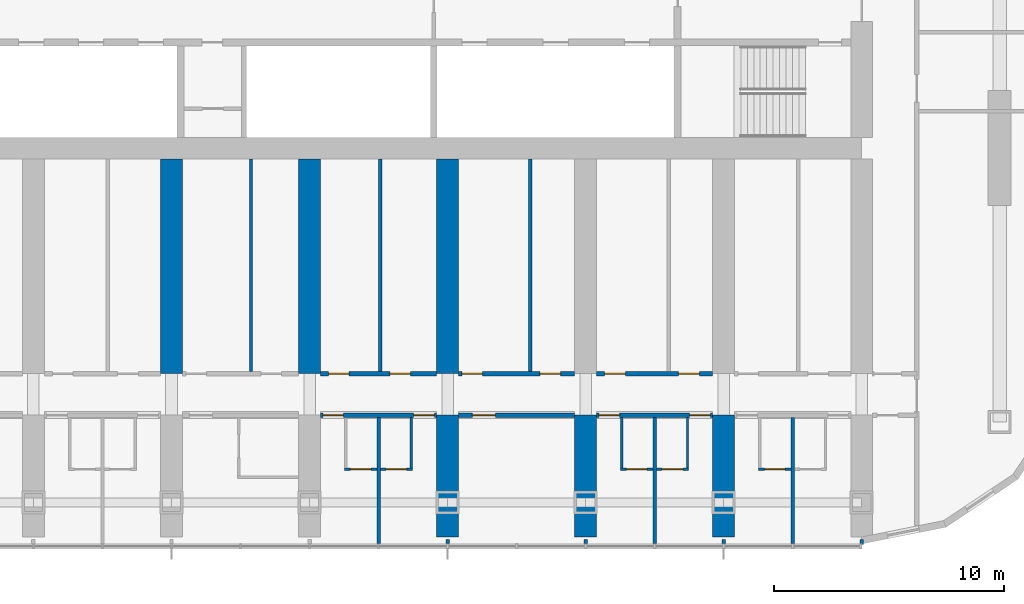
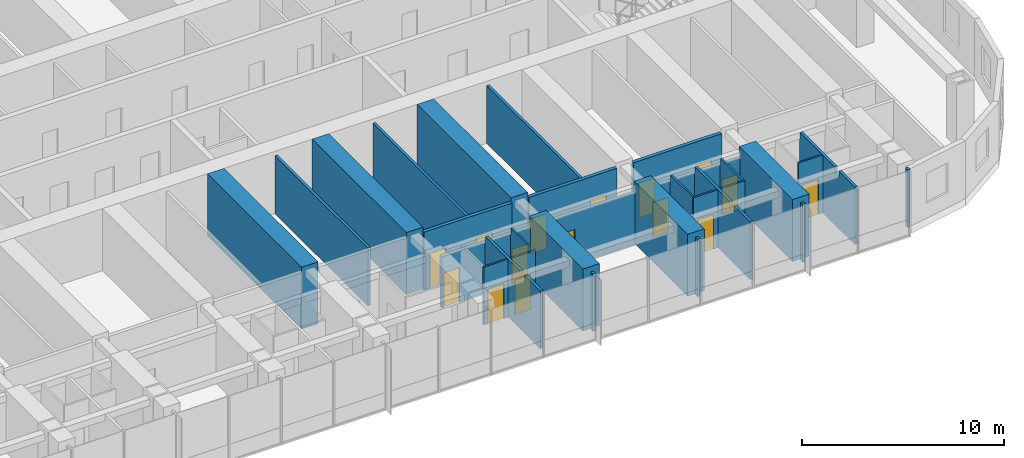
# One storey, part 12 of 25: 30 walls, 16 doors, 16 openings.
"""IFC4 building model written with IfcOpenShell, lengths in metres."""

import ifcopenshell
import ifcopenshell.guid

model = None  # the IFC model being written
_history = None  # IfcOwnerHistory: only IFC2X3 demands one
_inside = {}  # id of a spatial element -> (the spatial element, [elements in it])
_under = {}  # id of a project, library or spatial element -> (it, [spatial elements below it])
_declared = {}  # id of a project -> (the project, [libraries it declares])
_typed = {}  # id of a type object -> (the type object, [elements of that type])
_made_of = {}  # id of a material, layer set ... -> (it, [elements and type objects made of it])


def new_model(schema):
    """Start an empty IFC model of exactly this schema.

    Asked for "IFC4X3", IfcOpenShell would pick the latest addendum, in which some entities
    have other attributes; the version numbers below select the first issue.
    IFC2X3 requires an IfcOwnerHistory on every rooted entity: one is made here for all.
    """
    global model, _history
    if schema == "IFC4X3":
        model = ifcopenshell.file(schema_version=(4, 3, 0, 0))
    else:
        model = ifcopenshell.file(schema=schema)
    _inside.clear()
    _under.clear()
    _declared.clear()
    _typed.clear()
    _made_of.clear()
    _history = None
    if model.schema == "IFC2X3":
        org = make("IfcOrganization", Name="unknown")
        user = make(
            "IfcPersonAndOrganization",
            ThePerson=make("IfcPerson", FamilyName="unknown"),
            TheOrganization=org,
        )
        app = make(
            "IfcApplication",
            ApplicationDeveloper=org,
            Version="unknown",
            ApplicationFullName="unknown",
            ApplicationIdentifier="unknown",
        )
        _history = make(
            "IfcOwnerHistory",
            OwningUser=user,
            OwningApplication=app,
            ChangeAction="ADDED",
            CreationDate=0,
        )
    return model


def make(cls, **values):
    """One entity of the class cls with the attributes given. An attribute that is None is left unset."""
    return model.create_entity(
        cls, **{name: value for name, value in values.items() if value is not None}
    )


def rooted(cls, **values):
    """An entity with a GlobalId (a new one), such as an element, a storey or a relation."""
    return make(cls, GlobalId=ifcopenshell.guid.new(), OwnerHistory=_history, **values)


def si_unit(unit_type, name, prefix=None):
    """IfcSIUnit, for example si_unit("LENGTHUNIT", "METRE", prefix="MILLI")."""
    return make("IfcSIUnit", UnitType=unit_type, Prefix=prefix, Name=name)


def assignment(units):
    """IfcUnitAssignment: the units of a project."""
    return None if units is None else make("IfcUnitAssignment", Units=units)


def point(xyz):
    """IfcCartesianPoint."""
    return None if xyz is None else make("IfcCartesianPoint", Coordinates=xyz)


def direction(xyz):
    """IfcDirection."""
    return None if xyz is None else make("IfcDirection", DirectionRatios=xyz)


def frame(location, z_axis=None, x_axis=None):
    """IfcAxis2Placement3D, a coordinate frame: its origin and axes. An axis left out is left unset."""
    return make(
        "IfcAxis2Placement3D",
        Location=point(location),
        Axis=direction(z_axis),
        RefDirection=direction(x_axis),
    )


def frame_2d(location, x_axis=None):
    """IfcAxis2Placement2D, a coordinate frame in the plane: its origin and x axis."""
    return make(
        "IfcAxis2Placement2D", Location=point(location), RefDirection=direction(x_axis)
    )


def origin():
    """The frame at (0, 0, 0) with its axes left unset."""
    return frame((0.0, 0.0, 0.0))


def place(relative_to, where):
    """IfcLocalPlacement: puts the frame where relative to a parent placement (None: the world)."""
    return make(
        "IfcLocalPlacement", PlacementRelTo=relative_to, RelativePlacement=where
    )


def context(
    kind, dimensions, precision=None, world=None, true_north=None, identifier=None
):
    """IfcGeometricRepresentationContext, for example the 3D "Model" context."""
    return make(
        "IfcGeometricRepresentationContext",
        ContextIdentifier=identifier,
        ContextType=kind,
        CoordinateSpaceDimension=dimensions,
        Precision=precision,
        WorldCoordinateSystem=world,
        TrueNorth=true_north,
    )


def subcontext(parent, identifier, kind, view, scale=None):
    """IfcGeometricRepresentationSubContext, for example "Body" below "Model"."""
    return make(
        "IfcGeometricRepresentationSubContext",
        ContextIdentifier=identifier,
        ContextType=kind,
        ParentContext=parent,
        TargetScale=scale,
        TargetView=view,
    )


def project(units=None, contexts=None):
    """IfcProject with its units and contexts."""
    return rooted(
        "IfcProject",
        Name="project",
        RepresentationContexts=contexts,
        UnitsInContext=assignment(units),
    )


def spatial(cls, under=None, at=None, **own):
    """A site, building, storey or space (cls), placed at a placement, below another one or the project."""
    s = rooted(cls, ObjectPlacement=at, **own)
    if under is not None:
        _under.setdefault(under.id(), (under, []))[1].append(s)
    return s


def polyline(points):
    """IfcPolyline through the points."""
    return make("IfcPolyline", Points=[point(p) for p in points])


def profile(cls, at=None, kind="AREA", **sizes):
    """A parametric profile (cls). Its sizes go by their IFC names, for example OverallWidth=200.0."""
    return make(cls, ProfileType=kind, Position=at, **sizes)


def rectangle(**sizes):
    """IfcRectangleProfileDef."""
    return profile("IfcRectangleProfileDef", **sizes)


def outline(outer, holes=None, kind="AREA"):
    """IfcArbitraryClosedProfileDef: a profile drawn as a closed curve; with holes, ...WithVoids."""
    if holes is None:
        return make("IfcArbitraryClosedProfileDef", ProfileType=kind, OuterCurve=outer)
    return make(
        "IfcArbitraryProfileDefWithVoids",
        ProfileType=kind,
        OuterCurve=outer,
        InnerCurves=holes,
    )


def extrude(swept, where, along, depth):
    """IfcExtrudedAreaSolid: the profile swept, set in the frame where, extruded along a direction by depth."""
    return make(
        "IfcExtrudedAreaSolid",
        SweptArea=swept,
        Position=where,
        ExtrudedDirection=direction(along),
        Depth=depth,
    )


def shape(context_of_items, identifier, shape_type, items):
    """IfcShapeRepresentation: the items that make up one representation, for example the "Body"."""
    return make(
        "IfcShapeRepresentation",
        ContextOfItems=context_of_items,
        RepresentationIdentifier=identifier,
        RepresentationType=shape_type,
        Items=items,
    )


def material(Name=None, Category=None):
    """IfcMaterial."""
    return make("IfcMaterial", Name=Name, Category=Category)


def layer(
    of_material, thickness, ventilated=None, Name=None, Category=None, Priority=None
):
    """IfcMaterialLayer: one layer of a wall or slab, of a material (None: an air gap)."""
    return make(
        "IfcMaterialLayer",
        Material=of_material,
        LayerThickness=thickness,
        IsVentilated=ventilated,
        Name=Name,
        Category=Category,
        Priority=Priority,
    )


def layer_set(layers, Name=None):
    """IfcMaterialLayerSet."""
    return make("IfcMaterialLayerSet", MaterialLayers=layers, LayerSetName=Name)


def made_of(thing, what):
    """Note that an element or type object is made of a material, layer set ...; save() writes the relation."""
    if what is not None:
        _made_of.setdefault(what.id(), (what, []))[1].append(thing)
    return thing


def type_object(cls, material=None, **own):
    """A type object (cls), such as IfcWallType, which elements share."""
    return made_of(rooted(cls, **own), material)


def element(
    cls,
    number,
    at=None,
    inside=None,
    cuts=None,
    type_object=None,
    material=None,
    context=None,
    identifier="Body",
    shape_type=None,
    held_by="IfcProductDefinitionShape",
    body=None,
    shapes=None,
    **own,
):
    """One element of the class cls, such as IfcWall. Its Tag is "e" and its number.

    at: its placement. inside: the storey or other place that contains it. cuts: it is an
    opening in that element (IfcRelVoidsElement). A single representation is given by context,
    identifier, shape_type and body (its items); several are given by shapes. held_by: the class
    of the entity that holds the representations. save() writes the other relations.
    """
    e = rooted(cls, Tag="e%d" % number, ObjectPlacement=at, **own)
    if body is not None:
        shapes = [shape(context, identifier, shape_type, body)]
    if shapes is not None:
        e.Representation = make(held_by, Representations=shapes)
    if inside is not None:
        _inside.setdefault(inside.id(), (inside, []))[1].append(e)
    if cuts is not None:
        rooted(
            "IfcRelVoidsElement", RelatingBuildingElement=cuts, RelatedOpeningElement=e
        )
    if type_object is not None:
        _typed.setdefault(type_object.id(), (type_object, []))[1].append(e)
    return made_of(e, material)


def fill(opening, filler):
    """IfcRelFillsElement: the door or window that sits in an opening."""
    return rooted(
        "IfcRelFillsElement",
        RelatingOpeningElement=opening,
        RelatedBuildingElement=filler,
    )


def aggregate(whole, parts):
    """IfcRelAggregates: a whole, such as a stair, and the parts it consists of."""
    return rooted("IfcRelAggregates", RelatingObject=whole, RelatedObjects=parts)


def save(model, path):
    """Write the relations noted so far, then the file.

    IfcRelAggregates (storeys below a building ...), IfcRelContainedInSpatialStructure (elements
    in a storey), IfcRelDefinesByType, IfcRelAssociatesMaterial and IfcRelDeclares: one each for
    every whole, place, type object, material and project.
    """
    for whole, parts in _under.values():
        aggregate(whole, parts)
    for where, things in _inside.values():
        rooted(
            "IfcRelContainedInSpatialStructure",
            RelatedElements=things,
            RelatingStructure=where,
        )
    for kind, things in _typed.values():
        rooted("IfcRelDefinesByType", RelatedObjects=things, RelatingType=kind)
    for what, things in _made_of.values():
        rooted("IfcRelAssociatesMaterial", RelatedObjects=things, RelatingMaterial=what)
    for by, libraries in _declared.values():
        rooted("IfcRelDeclares", RelatingContext=by, RelatedDefinitions=libraries)
    model.write(path)


model = new_model("IFC4")

# Units and contexts
model_context = context("Model", 3, precision=1e-05, world=origin(), true_north=direction((0.0, 1.0)))
body_context = subcontext(model_context, "Body", "Model", "MODEL_VIEW")
ifc_project = project(units=[si_unit("LENGTHUNIT", "METRE"), si_unit("AREAUNIT", "SQUARE_METRE"), si_unit("VOLUMEUNIT", "CUBIC_METRE"), si_unit("PLANEANGLEUNIT", "RADIAN"), si_unit("MASSUNIT", "GRAM", prefix="KILO")], contexts=[model_context])

# Site, building, storey
site_placement = place(None, origin())
site = spatial("IfcSite", under=ifc_project, at=site_placement, CompositionType="ELEMENT")
building_placement = place(site_placement, origin())
building = spatial("IfcBuilding", under=site, at=building_placement, Name="Orbita Commons", CompositionType="ELEMENT")
storey_placement = place(building_placement, frame((0.0, 0.0, 99.39990234375)))
storey = spatial("IfcBuildingStorey", under=building, at=storey_placement, Name="L24", CompositionType="ELEMENT", Elevation=99.39990234375)

# Wall, openings, doors
ifc_material_1 = material(Name="Concrete blockwork", Category="masonry")
ifc_layer_1 = layer(ifc_material_1, 0.199951171875)
ifc_layer_set_1 = layer_set([ifc_layer_1], Name="Concrete blockwork")
wall_type_1 = type_object("IfcWallType", Name="Corridor wall 200 blockwork", PredefinedType="SOLIDWALL", material=ifc_layer_set_1)
wall_1_placement = place(storey_placement, frame((42.47509765625, 14.199951171875, 0.0), z_axis=(0.0, 0.0, 1.0), x_axis=(1.0, 0.0, 0.0)))
wall_1 = element("IfcWall", 1, at=wall_1_placement, inside=storey, type_object=wall_type_1, Name="Corridor wall 200 blockwork L24", PredefinedType="SOLIDWALL", context=body_context, shape_type="SweptSolid", body=[
    extrude(outline(polyline([(0.0, 0.0), (5.0498046875, 0.0), (5.050048828125, 3.10009765625), (0.0, 3.10009765625), (0.0, 0.0)])), frame((0.0, 0.10009765625, 0.0), z_axis=(0.0, -1.0, 0.0), x_axis=(1.0, 0.0, 0.0)), (0.0, 0.0, 1.0), 0.199951171875),
])
opening_1_placement = place(wall_1_placement, frame((0.10009765625, 0.0, 0.0)))
opening_1 = element("IfcOpeningElement", 2, at=opening_1_placement, cuts=wall_1, Name="Opening D11", PredefinedType="OPENING", context=body_context, shape_type="SweptSolid", body=[
    extrude(rectangle(XDim=0.89990234375, YDim=2.10009765625, at=frame_2d((0.449951171875, 1.050048828125))), frame((0.0, 0.10986328125, 0.0), z_axis=(0.0, -1.0, 0.0), x_axis=(1.0, 0.0, 0.0)), (0.0, 0.0, 1.0), 0.219970703125),
])
opening_2_placement = place(wall_1_placement, frame((4.050048828125, 0.0, 0.0)))
opening_2 = element("IfcOpeningElement", 3, at=opening_2_placement, cuts=wall_1, Name="Opening D11", PredefinedType="OPENING", context=body_context, shape_type="SweptSolid", body=[
    extrude(rectangle(XDim=0.89990234375, YDim=2.10009765625, at=frame_2d((0.449951171875, 1.050048828125))), frame((0.0, 0.10986328125, 0.0), z_axis=(0.0, -1.0, 0.0), x_axis=(1.0, 0.0, 0.0)), (0.0, 0.0, 1.0), 0.219970703125),
])
ifc_material_2 = material(Name="Steel-faced fire door leaf", Category="steel")
door_type_1 = type_object("IfcDoorType", Name="Corridor door 20 min 900x2100", OperationType="SINGLE_SWING_LEFT", PredefinedType="DOOR", material=ifc_material_2)
door_1_placement = place(opening_1_placement, origin())
door_1 = element("IfcDoor", 4, at=door_1_placement, inside=storey, type_object=door_type_1, Name="Cluster bedroom L24-S10 door", OperationType="SINGLE_SWING_LEFT", OverallHeight=2.10009765625, OverallWidth=0.89990234375, PredefinedType="DOOR", context=body_context, shape_type="SweptSolid", body=[
    extrude(rectangle(XDim=0.89990234375, YDim=2.10009765625, at=frame_2d((0.449951171875, 1.050048828125))), frame((0.0, 0.02490234375, 0.0), z_axis=(0.0, -1.0, 0.0), x_axis=(1.0, 0.0, 0.0)), (0.0, 0.0, 1.0), 0.050048828125),
])
fill(opening_1, door_1)
door_2_placement = place(opening_2_placement, origin())
door_2 = element("IfcDoor", 5, at=door_2_placement, inside=storey, type_object=door_type_1, Name="Cluster bedroom L24-S11 door", OperationType="SINGLE_SWING_LEFT", OverallHeight=2.10009765625, OverallWidth=0.89990234375, PredefinedType="DOOR", context=body_context, shape_type="SweptSolid", body=[
    extrude(rectangle(XDim=0.89990234375, YDim=2.10009765625, at=frame_2d((0.449951171875, 1.050048828125))), frame((0.0, 0.02490234375, 0.0), z_axis=(0.0, -1.0, 0.0), x_axis=(1.0, 0.0, 0.0)), (0.0, 0.0, 1.0), 0.050048828125),
])
fill(opening_2, door_2)

# Wall, opening, door
wall_2_placement = place(storey_placement, frame((48.47509765625, 14.199951171875, 0.0), z_axis=(0.0, 0.0, 1.0), x_axis=(1.0, 0.0, 0.0)))
wall_2 = element("IfcWall", 6, at=wall_2_placement, inside=storey, type_object=wall_type_1, Name="Corridor wall 200 blockwork L24", PredefinedType="SOLIDWALL", context=body_context, shape_type="SweptSolid", body=[
    extrude(outline(polyline([(0.0, 0.0), (5.0498046875, 0.0), (5.050048828125, 3.10009765625), (0.0, 3.10009765625), (0.0, 0.0)])), frame((0.0, 0.10009765625, 0.0), z_axis=(0.0, -1.0, 0.0), x_axis=(1.0, 0.0, 0.0)), (0.0, 0.0, 1.0), 0.199951171875),
])
opening_3_placement = place(wall_2_placement, frame((0.60009765625, 0.0, 0.0)))
opening_3 = element("IfcOpeningElement", 7, at=opening_3_placement, cuts=wall_2, Name="Opening D06", PredefinedType="OPENING", context=body_context, shape_type="SweptSolid", body=[
    extrude(rectangle(XDim=1.0, YDim=2.10009765625, at=frame_2d((0.5, 1.050048828125))), frame((0.0, 0.10986328125, 0.0), z_axis=(0.0, -1.0, 0.0), x_axis=(1.0, 0.0, 0.0)), (0.0, 0.0, 1.0), 0.219970703125),
])
ifc_material_3 = material(Name="Steel-faced fire door leaf", Category="steel")
door_type_2 = type_object("IfcDoorType", Name="Corridor door 20 min 1000x2100", OperationType="SINGLE_SWING_LEFT", PredefinedType="DOOR", material=ifc_material_3)
door_3_placement = place(opening_3_placement, origin())
door_3 = element("IfcDoor", 8, at=door_3_placement, inside=storey, type_object=door_type_2, Name="Cluster kitchen-diner L24-S12 door", OperationType="SINGLE_SWING_LEFT", OverallHeight=2.10009765625, OverallWidth=1.0, PredefinedType="DOOR", context=body_context, shape_type="SweptSolid", body=[
    extrude(rectangle(XDim=1.0, YDim=2.10009765625, at=frame_2d((0.5, 1.050048828125))), frame((0.0, 0.02490234375, 0.0), z_axis=(0.0, -1.0, 0.0), x_axis=(1.0, 0.0, 0.0)), (0.0, 0.0, 1.0), 0.050048828125),
])
fill(opening_3, door_3)

# Wall, openings, doors
wall_3_placement = place(storey_placement, frame((54.47509765625, 14.199951171875, 0.0), z_axis=(0.0, 0.0, 1.0), x_axis=(1.0, 0.0, 0.0)))
wall_3 = element("IfcWall", 9, at=wall_3_placement, inside=storey, type_object=wall_type_1, Name="Corridor wall 200 blockwork L24", PredefinedType="SOLIDWALL", context=body_context, shape_type="SweptSolid", body=[
    extrude(outline(polyline([(0.0, 0.0), (5.0498046875, 0.0), (5.050048828125, 3.10009765625), (0.0, 3.10009765625), (0.0, 0.0)])), frame((0.0, 0.10009765625, 0.0), z_axis=(0.0, -1.0, 0.0), x_axis=(1.0, 0.0, 0.0)), (0.0, 0.0, 1.0), 0.199951171875),
])
opening_4_placement = place(wall_3_placement, frame((0.10009765625, 0.0, 0.0)))
opening_4 = element("IfcOpeningElement", 10, at=opening_4_placement, cuts=wall_3, Name="Opening D11", PredefinedType="OPENING", context=body_context, shape_type="SweptSolid", body=[
    extrude(rectangle(XDim=0.89990234375, YDim=2.10009765625, at=frame_2d((0.449951171875, 1.050048828125))), frame((0.0, 0.10986328125, 0.0), z_axis=(0.0, -1.0, 0.0), x_axis=(1.0, 0.0, 0.0)), (0.0, 0.0, 1.0), 0.219970703125),
])
opening_5_placement = place(wall_3_placement, frame((4.050048828125, 0.0, 0.0)))
opening_5 = element("IfcOpeningElement", 11, at=opening_5_placement, cuts=wall_3, Name="Opening D11", PredefinedType="OPENING", context=body_context, shape_type="SweptSolid", body=[
    extrude(rectangle(XDim=0.89990234375, YDim=2.10009765625, at=frame_2d((0.449951171875, 1.050048828125))), frame((0.0, 0.10986328125, 0.0), z_axis=(0.0, -1.0, 0.0), x_axis=(1.0, 0.0, 0.0)), (0.0, 0.0, 1.0), 0.219970703125),
])
door_4_placement = place(opening_4_placement, origin())
door_4 = element("IfcDoor", 12, at=door_4_placement, inside=storey, type_object=door_type_1, Name="Cluster bedroom L24-S14 door", OperationType="SINGLE_SWING_LEFT", OverallHeight=2.10009765625, OverallWidth=0.89990234375, PredefinedType="DOOR", context=body_context, shape_type="SweptSolid", body=[
    extrude(rectangle(XDim=0.89990234375, YDim=2.10009765625, at=frame_2d((0.449951171875, 1.050048828125))), frame((0.0, 0.02490234375, 0.0), z_axis=(0.0, -1.0, 0.0), x_axis=(1.0, 0.0, 0.0)), (0.0, 0.0, 1.0), 0.050048828125),
])
fill(opening_4, door_4)
door_5_placement = place(opening_5_placement, origin())
door_5 = element("IfcDoor", 13, at=door_5_placement, inside=storey, type_object=door_type_1, Name="Cluster bedroom L24-S15 door", OperationType="SINGLE_SWING_LEFT", OverallHeight=2.10009765625, OverallWidth=0.89990234375, PredefinedType="DOOR", context=body_context, shape_type="SweptSolid", body=[
    extrude(rectangle(XDim=0.89990234375, YDim=2.10009765625, at=frame_2d((0.449951171875, 1.050048828125))), frame((0.0, 0.02490234375, 0.0), z_axis=(0.0, -1.0, 0.0), x_axis=(1.0, 0.0, 0.0)), (0.0, 0.0, 1.0), 0.050048828125),
])
fill(opening_5, door_5)

ifc_material_4 = material(Name="Hollow concrete block 200", Category="concrete")
ifc_layer_2 = layer(ifc_material_4, 0.199951171875)
ifc_layer_set_2 = layer_set([ifc_layer_2], Name="Hollow concrete block 200")
wall_type_2 = type_object("IfcWallType", Name="Corridor wall 200 hollow concrete block", PredefinedType="SOLIDWALL", material=ifc_layer_set_2)
wall_4_placement = place(storey_placement, frame((42.47509765625, 16.0, 0.0), z_axis=(0.0, 0.0, 1.0), x_axis=(1.0, 0.0, 0.0)))
wall_4 = element("IfcWall", 14, at=wall_4_placement, inside=storey, type_object=wall_type_2, Name="Corridor wall 200 hollow concrete block L24", PredefinedType="SOLIDWALL", context=body_context, shape_type="SweptSolid", body=[
    extrude(rectangle(XDim=5.0498046875, YDim=0.199951171875, at=frame_2d((2.52490234375, 0.0))), origin(), (0.0, 0.0, 1.0), 3.5),
])
opening_6_placement = place(wall_4_placement, frame((0.35009765625, 0.0, 0.0)))
opening_6 = element("IfcOpeningElement", 15, at=opening_6_placement, cuts=wall_4, Name="Opening D11", PredefinedType="OPENING", context=body_context, shape_type="SweptSolid", body=[
    extrude(rectangle(XDim=0.89990234375, YDim=2.10009765625, at=frame_2d((0.449951171875, 1.050048828125))), frame((0.0, 0.10986328125, 0.0), z_axis=(0.0, -1.0, 0.0), x_axis=(1.0, 0.0, 0.0)), (0.0, 0.0, 1.0), 0.219970703125),
])
opening_7_placement = place(wall_4_placement, frame((3.014892578125, 0.0, 0.0)))
opening_7 = element("IfcOpeningElement", 16, at=opening_7_placement, cuts=wall_4, Name="Opening D11", PredefinedType="OPENING", context=body_context, shape_type="SweptSolid", body=[
    extrude(rectangle(XDim=0.89990234375, YDim=2.10009765625, at=frame_2d((0.449951171875, 1.050048828125))), frame((0.0, 0.10986328125, 0.0), z_axis=(0.0, -1.0, 0.0), x_axis=(1.0, 0.0, 0.0)), (0.0, 0.0, 1.0), 0.219970703125),
])
door_6_placement = place(opening_6_placement, origin())
door_6 = element("IfcDoor", 17, at=door_6_placement, inside=storey, type_object=door_type_1, Name="Electrical and data room L24-BDS42 door", OperationType="SINGLE_SWING_LEFT", OverallHeight=2.10009765625, OverallWidth=0.89990234375, PredefinedType="DOOR", context=body_context, shape_type="SweptSolid", body=[
    extrude(rectangle(XDim=0.89990234375, YDim=2.10009765625, at=frame_2d((0.449951171875, 1.050048828125))), frame((0.0, 0.02490234375, 0.0), z_axis=(0.0, -1.0, 0.0), x_axis=(1.0, 0.0, 0.0)), (0.0, 0.0, 1.0), 0.050048828125),
])
fill(opening_6, door_6)
door_7_placement = place(opening_7_placement, origin())
door_7 = element("IfcDoor", 18, at=door_7_placement, inside=storey, type_object=door_type_1, Name="Water heater cupboard L24-BDS42n door", OperationType="SINGLE_SWING_LEFT", OverallHeight=2.10009765625, OverallWidth=0.89990234375, PredefinedType="DOOR", context=body_context, shape_type="SweptSolid", body=[
    extrude(rectangle(XDim=0.89990234375, YDim=2.10009765625, at=frame_2d((0.449951171875, 1.050048828125))), frame((0.0, 0.02490234375, 0.0), z_axis=(0.0, -1.0, 0.0), x_axis=(1.0, 0.0, 0.0)), (0.0, 0.0, 1.0), 0.050048828125),
])
fill(opening_7, door_7)

wall_5_placement = place(storey_placement, frame((48.47509765625, 16.0, 0.0), z_axis=(0.0, 0.0, 1.0), x_axis=(1.0, 0.0, 0.0)))
wall_5 = element("IfcWall", 19, at=wall_5_placement, inside=storey, type_object=wall_type_2, Name="Corridor wall 200 hollow concrete block L24", PredefinedType="SOLIDWALL", context=body_context, shape_type="SweptSolid", body=[
    extrude(rectangle(XDim=5.0498046875, YDim=0.199951171875, at=frame_2d((2.52490234375, 0.0))), origin(), (0.0, 0.0, 1.0), 3.5),
])
opening_8_placement = place(wall_5_placement, frame((0.14990234375, 0.0, 0.0)))
opening_8 = element("IfcOpeningElement", 20, at=opening_8_placement, cuts=wall_5, Name="Opening D11", PredefinedType="OPENING", context=body_context, shape_type="SweptSolid", body=[
    extrude(rectangle(XDim=0.89990234375, YDim=2.10009765625, at=frame_2d((0.449951171875, 1.050048828125))), frame((0.0, 0.10986328125, 0.0), z_axis=(0.0, -1.0, 0.0), x_axis=(1.0, 0.0, 0.0)), (0.0, 0.0, 1.0), 0.219970703125),
])
opening_9_placement = place(wall_5_placement, frame((3.534912109375, 0.0, 0.0)))
opening_9 = element("IfcOpeningElement", 21, at=opening_9_placement, cuts=wall_5, Name="Opening D11", PredefinedType="OPENING", context=body_context, shape_type="SweptSolid", body=[
    extrude(rectangle(XDim=0.89990234375, YDim=2.10009765625, at=frame_2d((0.449951171875, 1.050048828125))), frame((0.0, 0.10986328125, 0.0), z_axis=(0.0, -1.0, 0.0), x_axis=(1.0, 0.0, 0.0)), (0.0, 0.0, 1.0), 0.219970703125),
])
door_8_placement = place(opening_8_placement, origin())
door_8 = element("IfcDoor", 22, at=door_8_placement, inside=storey, type_object=door_type_1, Name="Ventilation plant room north L24-BDS48 door", OperationType="SINGLE_SWING_LEFT", OverallHeight=2.10009765625, OverallWidth=0.89990234375, PredefinedType="DOOR", context=body_context, shape_type="SweptSolid", body=[
    extrude(rectangle(XDim=0.89990234375, YDim=2.10009765625, at=frame_2d((0.449951171875, 1.050048828125))), frame((0.0, 0.02490234375, 0.0), z_axis=(0.0, -1.0, 0.0), x_axis=(1.0, 0.0, 0.0)), (0.0, 0.0, 1.0), 0.050048828125),
])
fill(opening_8, door_8)
door_9_placement = place(opening_9_placement, origin())
door_9 = element("IfcDoor", 23, at=door_9_placement, inside=storey, type_object=door_type_1, Name="Equipment store L24-BDS48n door", OperationType="SINGLE_SWING_LEFT", OverallHeight=2.10009765625, OverallWidth=0.89990234375, PredefinedType="DOOR", context=body_context, shape_type="SweptSolid", body=[
    extrude(rectangle(XDim=0.89990234375, YDim=2.10009765625, at=frame_2d((0.449951171875, 1.050048828125))), frame((0.0, 0.02490234375, 0.0), z_axis=(0.0, -1.0, 0.0), x_axis=(1.0, 0.0, 0.0)), (0.0, 0.0, 1.0), 0.050048828125),
])
fill(opening_9, door_9)

wall_6_placement = place(storey_placement, frame((54.47509765625, 16.0, 0.0), z_axis=(0.0, 0.0, 1.0), x_axis=(1.0, 0.0, 0.0)))
wall_6 = element("IfcWall", 24, at=wall_6_placement, inside=storey, type_object=wall_type_2, Name="Corridor wall 200 hollow concrete block L24", PredefinedType="SOLIDWALL", context=body_context, shape_type="SweptSolid", body=[
    extrude(rectangle(XDim=5.0498046875, YDim=0.199951171875, at=frame_2d((2.52490234375, 0.0))), origin(), (0.0, 0.0, 1.0), 3.5),
])
opening_10_placement = place(wall_6_placement, frame((0.35009765625, 0.0, 0.0)))
opening_10 = element("IfcOpeningElement", 25, at=opening_10_placement, cuts=wall_6, Name="Opening D11", PredefinedType="OPENING", context=body_context, shape_type="SweptSolid", body=[
    extrude(rectangle(XDim=0.89990234375, YDim=2.10009765625, at=frame_2d((0.449951171875, 1.050048828125))), frame((0.0, 0.10986328125, 0.0), z_axis=(0.0, -1.0, 0.0), x_axis=(1.0, 0.0, 0.0)), (0.0, 0.0, 1.0), 0.219970703125),
])
opening_11_placement = place(wall_6_placement, frame((3.56494140625, 0.0, 0.0)))
opening_11 = element("IfcOpeningElement", 26, at=opening_11_placement, cuts=wall_6, Name="Opening D11", PredefinedType="OPENING", context=body_context, shape_type="SweptSolid", body=[
    extrude(rectangle(XDim=0.89990234375, YDim=2.10009765625, at=frame_2d((0.449951171875, 1.050048828125))), frame((0.0, 0.10986328125, 0.0), z_axis=(0.0, -1.0, 0.0), x_axis=(1.0, 0.0, 0.0)), (0.0, 0.0, 1.0), 0.219970703125),
])
door_10_placement = place(opening_10_placement, origin())
door_10 = element("IfcDoor", 27, at=door_10_placement, inside=storey, type_object=door_type_1, Name="Furniture store L24-BDS54 door", OperationType="SINGLE_SWING_LEFT", OverallHeight=2.10009765625, OverallWidth=0.89990234375, PredefinedType="DOOR", context=body_context, shape_type="SweptSolid", body=[
    extrude(rectangle(XDim=0.89990234375, YDim=2.10009765625, at=frame_2d((0.449951171875, 1.050048828125))), frame((0.0, 0.02490234375, 0.0), z_axis=(0.0, -1.0, 0.0), x_axis=(1.0, 0.0, 0.0)), (0.0, 0.0, 1.0), 0.050048828125),
])
fill(opening_10, door_10)
door_11_placement = place(opening_11_placement, origin())
door_11 = element("IfcDoor", 28, at=door_11_placement, inside=storey, type_object=door_type_1, Name="Battery and UPS room L24-BDS54n door", OperationType="SINGLE_SWING_LEFT", OverallHeight=2.10009765625, OverallWidth=0.89990234375, PredefinedType="DOOR", context=body_context, shape_type="SweptSolid", body=[
    extrude(rectangle(XDim=0.89990234375, YDim=2.10009765625, at=frame_2d((0.449951171875, 1.050048828125))), frame((0.0, 0.02490234375, 0.0), z_axis=(0.0, -1.0, 0.0), x_axis=(1.0, 0.0, 0.0)), (0.0, 0.0, 1.0), 0.050048828125),
])
fill(opening_11, door_11)

# Walls
ifc_material_5 = material(Name="Concrete C50/60", Category="concrete")
ifc_layer_3 = layer(ifc_material_5, 0.949951171875)
ifc_layer_set_3 = layer_set([ifc_layer_3], Name="Concrete C50/60")
wall_type_3 = type_object("IfcWallType", Name="Cross wall 950 C50/60", PredefinedType="SHEAR", material=ifc_layer_set_3)
for number, where, z_axis, x_axis, name in (
    (29, (36.0, 16.0, 0.0), (0.0, 0.0, 1.0), (0.0, 1.0, 0.0), "Cross wall 7 south inner L24"),
    (30, (42.0, 16.0, 0.0), (0.0, 0.0, 1.0), (0.0, 1.0, 0.0), "Cross wall 8 south inner L24"),
):
    element("IfcWall", number, at=place(storey_placement, frame(where, z_axis=z_axis, x_axis=x_axis)), inside=storey, type_object=wall_type_3, Name=name, PredefinedType="SHEAR", context=body_context, shape_type="SweptSolid", body=[
        extrude(rectangle(XDim=9.324951171875, YDim=0.949951171875, at=frame_2d((4.66259765625, 0.0))), origin(), (0.0, 0.0, 1.0), 3.75),
    ])
wall_7_placement = place(storey_placement, frame((48.0, 8.89990234375, 0.0), z_axis=(0.0, 0.0, 1.0), x_axis=(0.0, 1.0, 0.0)))
element("IfcWall", 31, at=wall_7_placement, inside=storey, type_object=wall_type_3, Name="Cross wall 9 south outer L24", PredefinedType="SHEAR", context=body_context, shape_type="SweptSolid", body=[
    extrude(rectangle(XDim=5.300048828125, YDim=0.949951171875, at=frame_2d((2.64990234375, 0.0))), origin(), (0.0, 0.0, 1.0), 3.75),
])
wall_8_placement = place(storey_placement, frame((48.0, 16.0, 0.0), z_axis=(0.0, 0.0, 1.0), x_axis=(0.0, 1.0, 0.0)))
element("IfcWall", 32, at=wall_8_placement, inside=storey, type_object=wall_type_3, Name="Cross wall 9 south inner L24", PredefinedType="SHEAR", context=body_context, shape_type="SweptSolid", body=[
    extrude(rectangle(XDim=9.324951171875, YDim=0.949951171875, at=frame_2d((4.66259765625, 0.0))), origin(), (0.0, 0.0, 1.0), 3.75),
])
for number, where, z_axis, x_axis, name in (
    (33, (54.0, 8.89990234375, 0.0), (0.0, 0.0, 1.0), (0.0, 1.0, 0.0), "Cross wall 10 south outer L24"),
    (34, (60.0, 8.89990234375, 0.0), (0.0, 0.0, 1.0), (0.0, 1.0, 0.0), "Cross wall 11 south outer L24"),
):
    element("IfcWall", number, at=place(storey_placement, frame(where, z_axis=z_axis, x_axis=x_axis)), inside=storey, type_object=wall_type_3, Name=name, PredefinedType="SHEAR", context=body_context, shape_type="SweptSolid", body=[
        extrude(rectangle(XDim=5.300048828125, YDim=0.949951171875, at=frame_2d((2.64990234375, 0.0))), origin(), (0.0, 0.0, 1.0), 3.75),
    ])

# Wall, opening, door
ifc_material_6 = material(Name="Moisture-resistant plasterboard on steel studs", Category="steel")
ifc_layer_4 = layer(ifc_material_6, 0.10009765625)
ifc_layer_set_4 = layer_set([ifc_layer_4], Name="Moisture-resistant plasterboard on steel studs")
wall_type_4 = type_object("IfcWallType", Name="En-suite partition 100", PredefinedType="PARTITIONING", material=ifc_layer_set_4)
wall_9_placement = place(storey_placement, frame((44.925048828125, 11.8408203125, 0.0), z_axis=(0.0, 0.0, 1.0), x_axis=(-1.0, 0.0, 0.0)))
wall_9 = element("IfcWall", 35, at=wall_9_placement, inside=storey, type_object=wall_type_4, Name="En-suite partition 100 L24", PredefinedType="PARTITIONING", context=body_context, shape_type="SweptSolid", body=[
    extrude(rectangle(XDim=1.400146484375, YDim=0.10009765625, at=frame_2d((0.7001953125, 0.0))), origin(), (0.0, 0.0, 1.0), 3.5),
])
opening_12_placement = place(wall_9_placement, frame((0.25, 0.0, 0.0)))
opening_12 = element("IfcOpeningElement", 36, at=opening_12_placement, cuts=wall_9, Name="Opening D09", PredefinedType="OPENING", context=body_context, shape_type="SweptSolid", body=[
    extrude(rectangle(XDim=0.89990234375, YDim=2.10009765625, at=frame_2d((0.449951171875, 1.050048828125))), frame((0.0, 0.06005859375, 0.0), z_axis=(0.0, -1.0, 0.0), x_axis=(1.0, 0.0, 0.0)), (0.0, 0.0, 1.0), 0.1201171875),
])
ifc_material_7 = material(Name="Laminated timber door leaf", Category="wood")
door_type_3 = type_object("IfcDoorType", Name="En-suite door 900x2100", OperationType="SINGLE_SWING_RIGHT", PredefinedType="DOOR", material=ifc_material_7)
door_12_placement = place(opening_12_placement, origin())
door_12 = element("IfcDoor", 37, at=door_12_placement, inside=storey, type_object=door_type_3, Name="En-suite L24-S10 door", OperationType="SINGLE_SWING_RIGHT", OverallHeight=2.10009765625, OverallWidth=0.89990234375, PredefinedType="DOOR", context=body_context, shape_type="SweptSolid", body=[
    extrude(rectangle(XDim=0.89990234375, YDim=2.10009765625, at=frame_2d((0.449951171875, 1.050048828125))), frame((0.0, 0.02490234375, 0.0), z_axis=(0.0, -1.0, 0.0), x_axis=(1.0, 0.0, 0.0)), (0.0, 0.0, 1.0), 0.050048828125),
])
fill(opening_12, door_12)

wall_10_placement = place(storey_placement, frame((46.47509765625, 11.8408203125, 0.0), z_axis=(0.0, 0.0, 1.0), x_axis=(-1.0, 0.0, 0.0)))
wall_10 = element("IfcWall", 38, at=wall_10_placement, inside=storey, type_object=wall_type_4, Name="En-suite partition 100 L24", PredefinedType="PARTITIONING", context=body_context, shape_type="SweptSolid", body=[
    extrude(rectangle(XDim=1.400146484375, YDim=0.10009765625, at=frame_2d((0.7001953125, 0.0))), origin(), (0.0, 0.0, 1.0), 3.5),
])
opening_13_placement = place(wall_10_placement, frame((0.25, 0.0, 0.0)))
opening_13 = element("IfcOpeningElement", 39, at=opening_13_placement, cuts=wall_10, Name="Opening D09", PredefinedType="OPENING", context=body_context, shape_type="SweptSolid", body=[
    extrude(rectangle(XDim=0.89990234375, YDim=2.10009765625, at=frame_2d((0.449951171875, 1.050048828125))), frame((0.0, 0.06005859375, 0.0), z_axis=(0.0, -1.0, 0.0), x_axis=(1.0, 0.0, 0.0)), (0.0, 0.0, 1.0), 0.1201171875),
])
door_13_placement = place(opening_13_placement, origin())
door_13 = element("IfcDoor", 40, at=door_13_placement, inside=storey, type_object=door_type_3, Name="En-suite L24-S11 door", OperationType="SINGLE_SWING_RIGHT", OverallHeight=2.10009765625, OverallWidth=0.89990234375, PredefinedType="DOOR", context=body_context, shape_type="SweptSolid", body=[
    extrude(rectangle(XDim=0.89990234375, YDim=2.10009765625, at=frame_2d((0.449951171875, 1.050048828125))), frame((0.0, 0.02490234375, 0.0), z_axis=(0.0, -1.0, 0.0), x_axis=(1.0, 0.0, 0.0)), (0.0, 0.0, 1.0), 0.050048828125),
])
fill(opening_13, door_13)

# Wall
wall_11_placement = place(storey_placement, frame((46.425048828125, 11.890625, 0.0), z_axis=(0.0, 0.0, 1.0), x_axis=(0.0, 1.0, 0.0)))
element("IfcWall", 41, at=wall_11_placement, inside=storey, type_object=wall_type_4, Name="En-suite partition 100 L24", PredefinedType="PARTITIONING", context=body_context, shape_type="SweptSolid", body=[
    extrude(outline(polyline([(0.0, 0.0), (2.20947265625, 0.0), (2.209228515625, 3.10009765625), (2.161376953125, 3.10009765625), (2.1591796875, 3.5), (0.0, 3.5), (0.0, 0.0)])), frame((0.0, 0.050048828125, 0.0), z_axis=(0.0, -1.0, 0.0), x_axis=(1.0, 0.0, 0.0)), (0.0, 0.0, 1.0), 0.10009765625),
])

# Wall, opening, door
wall_12_placement = place(storey_placement, frame((56.925048828125, 11.8408203125, 0.0), z_axis=(0.0, 0.0, 1.0), x_axis=(-1.0, 0.0, 0.0)))
wall_12 = element("IfcWall", 42, at=wall_12_placement, inside=storey, type_object=wall_type_4, Name="En-suite partition 100 L24", PredefinedType="PARTITIONING", context=body_context, shape_type="SweptSolid", body=[
    extrude(rectangle(XDim=1.400146484375, YDim=0.10009765625, at=frame_2d((0.7001953125, 0.0))), origin(), (0.0, 0.0, 1.0), 3.5),
])
opening_14_placement = place(wall_12_placement, frame((0.25, 0.0, 0.0)))
opening_14 = element("IfcOpeningElement", 43, at=opening_14_placement, cuts=wall_12, Name="Opening D09", PredefinedType="OPENING", context=body_context, shape_type="SweptSolid", body=[
    extrude(rectangle(XDim=0.89990234375, YDim=2.10009765625, at=frame_2d((0.449951171875, 1.050048828125))), frame((0.0, 0.06005859375, 0.0), z_axis=(0.0, -1.0, 0.0), x_axis=(1.0, 0.0, 0.0)), (0.0, 0.0, 1.0), 0.1201171875),
])
door_14_placement = place(opening_14_placement, origin())
door_14 = element("IfcDoor", 44, at=door_14_placement, inside=storey, type_object=door_type_3, Name="En-suite L24-S14 door", OperationType="SINGLE_SWING_RIGHT", OverallHeight=2.10009765625, OverallWidth=0.89990234375, PredefinedType="DOOR", context=body_context, shape_type="SweptSolid", body=[
    extrude(rectangle(XDim=0.89990234375, YDim=2.10009765625, at=frame_2d((0.449951171875, 1.050048828125))), frame((0.0, 0.02490234375, 0.0), z_axis=(0.0, -1.0, 0.0), x_axis=(1.0, 0.0, 0.0)), (0.0, 0.0, 1.0), 0.050048828125),
])
fill(opening_14, door_14)

# Wall
wall_13_placement = place(storey_placement, frame((55.574951171875, 11.890625, 0.0), z_axis=(0.0, 0.0, 1.0), x_axis=(0.0, 1.0, 0.0)))
element("IfcWall", 45, at=wall_13_placement, inside=storey, type_object=wall_type_4, Name="En-suite partition 100 L24", PredefinedType="PARTITIONING", context=body_context, shape_type="SweptSolid", body=[
    extrude(outline(polyline([(0.0, 0.0), (2.20947265625, 0.0), (2.209228515625, 3.10009765625), (2.161376953125, 3.10009765625), (2.1591796875, 3.5), (0.0, 3.5), (0.0, 0.0)])), frame((0.0, 0.050048828125, 0.0), z_axis=(0.0, -1.0, 0.0), x_axis=(1.0, 0.0, 0.0)), (0.0, 0.0, 1.0), 0.10009765625),
])

# Wall, opening, door
wall_14_placement = place(storey_placement, frame((58.47509765625, 11.8408203125, 0.0), z_axis=(0.0, 0.0, 1.0), x_axis=(-1.0, 0.0, 0.0)))
wall_14 = element("IfcWall", 46, at=wall_14_placement, inside=storey, type_object=wall_type_4, Name="En-suite partition 100 L24", PredefinedType="PARTITIONING", context=body_context, shape_type="SweptSolid", body=[
    extrude(rectangle(XDim=1.400146484375, YDim=0.10009765625, at=frame_2d((0.7001953125, 0.0))), origin(), (0.0, 0.0, 1.0), 3.5),
])
opening_15_placement = place(wall_14_placement, frame((0.25, 0.0, 0.0)))
opening_15 = element("IfcOpeningElement", 47, at=opening_15_placement, cuts=wall_14, Name="Opening D09", PredefinedType="OPENING", context=body_context, shape_type="SweptSolid", body=[
    extrude(rectangle(XDim=0.89990234375, YDim=2.10009765625, at=frame_2d((0.449951171875, 1.050048828125))), frame((0.0, 0.06005859375, 0.0), z_axis=(0.0, -1.0, 0.0), x_axis=(1.0, 0.0, 0.0)), (0.0, 0.0, 1.0), 0.1201171875),
])
door_15_placement = place(opening_15_placement, origin())
door_15 = element("IfcDoor", 48, at=door_15_placement, inside=storey, type_object=door_type_3, Name="En-suite L24-S15 door", OperationType="SINGLE_SWING_RIGHT", OverallHeight=2.10009765625, OverallWidth=0.89990234375, PredefinedType="DOOR", context=body_context, shape_type="SweptSolid", body=[
    extrude(rectangle(XDim=0.89990234375, YDim=2.10009765625, at=frame_2d((0.449951171875, 1.050048828125))), frame((0.0, 0.02490234375, 0.0), z_axis=(0.0, -1.0, 0.0), x_axis=(1.0, 0.0, 0.0)), (0.0, 0.0, 1.0), 0.050048828125),
])
fill(opening_15, door_15)

# Wall
wall_15_placement = place(storey_placement, frame((58.425048828125, 11.890625, 0.0), z_axis=(0.0, 0.0, 1.0), x_axis=(0.0, 1.0, 0.0)))
element("IfcWall", 49, at=wall_15_placement, inside=storey, type_object=wall_type_4, Name="En-suite partition 100 L24", PredefinedType="PARTITIONING", context=body_context, shape_type="SweptSolid", body=[
    extrude(outline(polyline([(0.0, 0.0), (2.20947265625, 0.0), (2.209228515625, 3.10009765625), (2.161376953125, 3.10009765625), (2.1591796875, 3.5), (0.0, 3.5), (0.0, 0.0)])), frame((0.0, 0.050048828125, 0.0), z_axis=(0.0, -1.0, 0.0), x_axis=(1.0, 0.0, 0.0)), (0.0, 0.0, 1.0), 0.10009765625),
])

# Wall, opening, door
wall_16_placement = place(storey_placement, frame((62.925048828125, 11.8408203125, 0.0), z_axis=(0.0, 0.0, 1.0), x_axis=(-1.0, 0.0, 0.0)))
wall_16 = element("IfcWall", 50, at=wall_16_placement, inside=storey, type_object=wall_type_4, Name="En-suite partition 100 L24", PredefinedType="PARTITIONING", context=body_context, shape_type="SweptSolid", body=[
    extrude(rectangle(XDim=1.400146484375, YDim=0.10009765625, at=frame_2d((0.7001953125, 0.0))), origin(), (0.0, 0.0, 1.0), 3.5),
])
opening_16_placement = place(wall_16_placement, frame((0.25, 0.0, 0.0)))
opening_16 = element("IfcOpeningElement", 51, at=opening_16_placement, cuts=wall_16, Name="Opening D09", PredefinedType="OPENING", context=body_context, shape_type="SweptSolid", body=[
    extrude(rectangle(XDim=0.89990234375, YDim=2.10009765625, at=frame_2d((0.449951171875, 1.050048828125))), frame((0.0, 0.06005859375, 0.0), z_axis=(0.0, -1.0, 0.0), x_axis=(1.0, 0.0, 0.0)), (0.0, 0.0, 1.0), 0.1201171875),
])
door_16_placement = place(opening_16_placement, origin())
door_16 = element("IfcDoor", 52, at=door_16_placement, inside=storey, type_object=door_type_3, Name="En-suite L24-S16 door", OperationType="SINGLE_SWING_RIGHT", OverallHeight=2.10009765625, OverallWidth=0.89990234375, PredefinedType="DOOR", context=body_context, shape_type="SweptSolid", body=[
    extrude(rectangle(XDim=0.89990234375, YDim=2.10009765625, at=frame_2d((0.449951171875, 1.050048828125))), frame((0.0, 0.02490234375, 0.0), z_axis=(0.0, -1.0, 0.0), x_axis=(1.0, 0.0, 0.0)), (0.0, 0.0, 1.0), 0.050048828125),
])
fill(opening_16, door_16)

# Walls
ifc_material_8 = material(Name="Gypsum plasterboard on steel studs", Category="steel")
ifc_layer_5 = layer(ifc_material_8, 0.14990234375)
ifc_layer_set_5 = layer_set([ifc_layer_5], Name="Gypsum plasterboard on steel studs")
wall_type_5 = type_object("IfcWallType", Name="Partition 150 plasterboard", PredefinedType="PARTITIONING", material=ifc_layer_set_5)
for number, where, z_axis, x_axis, name in (
    (53, (39.455078125, 16.10009765625, 0.0), (0.0, 0.0, 1.0), (0.0, 1.0, 0.0), "Partition 150 plasterboard L24"),
    (54, (45.06494140625, 16.10009765625, 0.0), (0.0, 0.0, 1.0), (0.0, 1.0, 0.0), "Partition 150 plasterboard L24"),
    (55, (51.5849609375, 16.10009765625, 0.0), (0.0, 0.0, 1.0), (0.0, 1.0, 0.0), "Partition 150 plasterboard L24"),
):
    element("IfcWall", number, at=place(storey_placement, frame(where, z_axis=z_axis, x_axis=x_axis)), inside=storey, type_object=wall_type_5, Name=name, PredefinedType="PARTITIONING", context=body_context, shape_type="SweptSolid", body=[
        extrude(rectangle(XDim=9.224853515625, YDim=0.14990234375, at=frame_2d((4.6123046875, 0.0))), origin(), (0.0, 0.0, 1.0), 3.5),
    ])
for number, where, z_axis, x_axis, name in (
    (56, (48.0, 8.800048828125, 0.0), (0.0, 0.0, 1.0), (0.0, -1.0, 0.0), "Partition 150 plasterboard L24"),
    (57, (54.0, 8.800048828125, 0.0), (0.0, 0.0, 1.0), (0.0, -1.0, 0.0), "Partition 150 plasterboard L24"),
    (58, (60.0, 8.800048828125, 0.0), (0.0, 0.0, 1.0), (0.0, -1.0, 0.0), "Partition 150 plasterboard L24"),
):
    element("IfcWall", number, at=place(storey_placement, frame(where, z_axis=z_axis, x_axis=x_axis)), inside=storey, type_object=wall_type_5, Name=name, PredefinedType="PARTITIONING", context=body_context, shape_type="SweptSolid", body=[
        extrude(rectangle(XDim=0.18994140625, YDim=0.14990234375, at=frame_2d((0.094970703125, 0.0))), origin(), (0.0, 0.0, 1.0), 3.5),
    ])
wall_17_placement = place(storey_placement, frame((66.0, 8.800048828125, 0.0), z_axis=(0.0, 0.0, 1.0), x_axis=(0.0, -1.0, 0.0)))
element("IfcWall", 59, at=wall_17_placement, inside=storey, type_object=wall_type_5, Name="Partition 150 plasterboard L24", PredefinedType="PARTITIONING", context=body_context, shape_type="SweptSolid", body=[
    extrude(rectangle(XDim=0.219970703125, YDim=0.14990234375, at=frame_2d((0.10986328125, 0.0))), origin(), (0.0, 0.0, 1.0), 3.5),
])
ifc_material_9 = material(Name="Gypsum plasterboard on steel studs", Category="steel")
ifc_layer_6 = layer(ifc_material_9, 0.14990234375)
ifc_layer_set_6 = layer_set([ifc_layer_6], Name="Gypsum plasterboard on steel studs")
wall_type_6 = type_object("IfcWallType", Name="Party wall 150 plasterboard", PredefinedType="PARTITIONING", material=ifc_layer_set_6)
for number, where, z_axis, x_axis, name in (
    (60, (45.0, 8.610107421875, 0.0), (0.0, 0.0, 1.0), (0.0, 1.0, 0.0), "Party wall 150 plasterboard L24"),
    (61, (57.0, 8.610107421875, 0.0), (0.0, 0.0, 1.0), (0.0, 1.0, 0.0), "Party wall 150 plasterboard L24"),
    (62, (63.0, 8.610107421875, 0.0), (0.0, 0.0, 1.0), (0.0, 1.0, 0.0), "Party wall 150 plasterboard L24"),
):
    element("IfcWall", number, at=place(storey_placement, frame(where, z_axis=z_axis, x_axis=x_axis)), inside=storey, type_object=wall_type_6, Name=name, PredefinedType="PARTITIONING", context=body_context, shape_type="SweptSolid", body=[
        extrude(outline(polyline([(0.0, 0.0), (5.489990234375, 0.0), (5.489990234375, 3.10009765625), (5.44189453125, 3.10009765625), (5.43994140625, 3.5), (1.991943359375, 3.5), (1.989990234375, 3.10009765625), (1.592041015625, 3.10009765625), (1.590087890625, 3.5), (0.0, 3.5), (0.0, 0.0)])), frame((0.0, 0.074951171875, 0.0), z_axis=(0.0, -1.0, 0.0), x_axis=(1.0, 0.0, 0.0)), (0.0, 0.0, 1.0), 0.14990234375),
    ])

save(model, "model.ifc")
